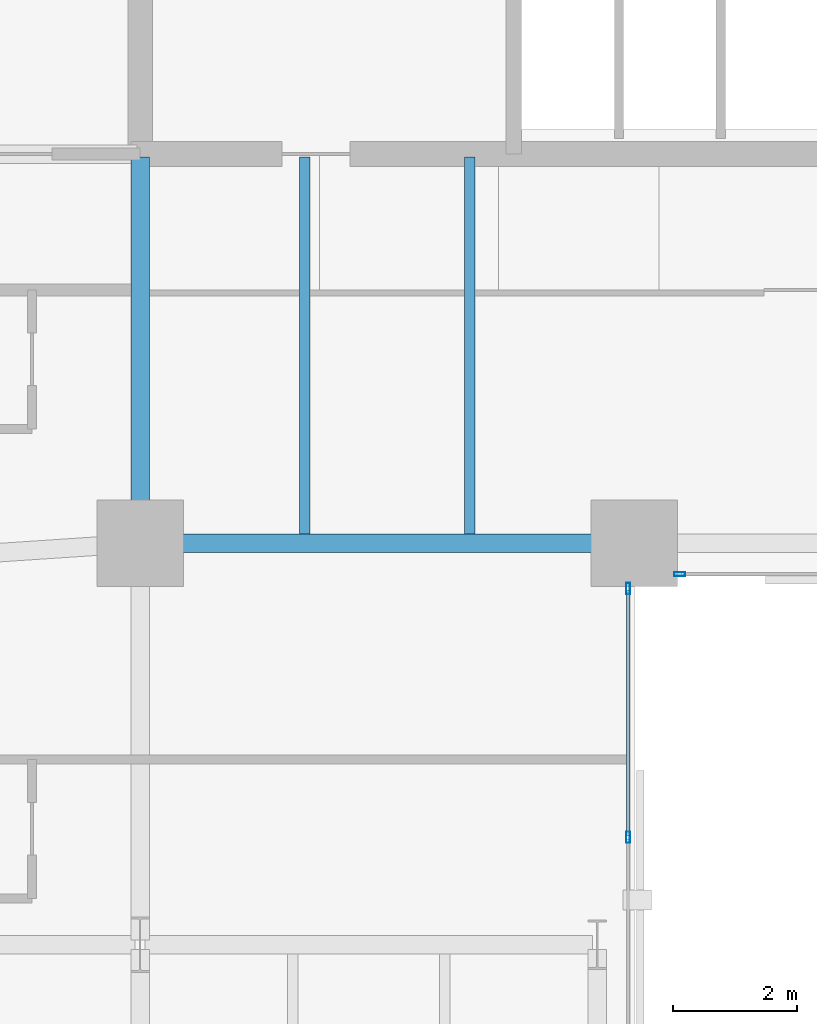
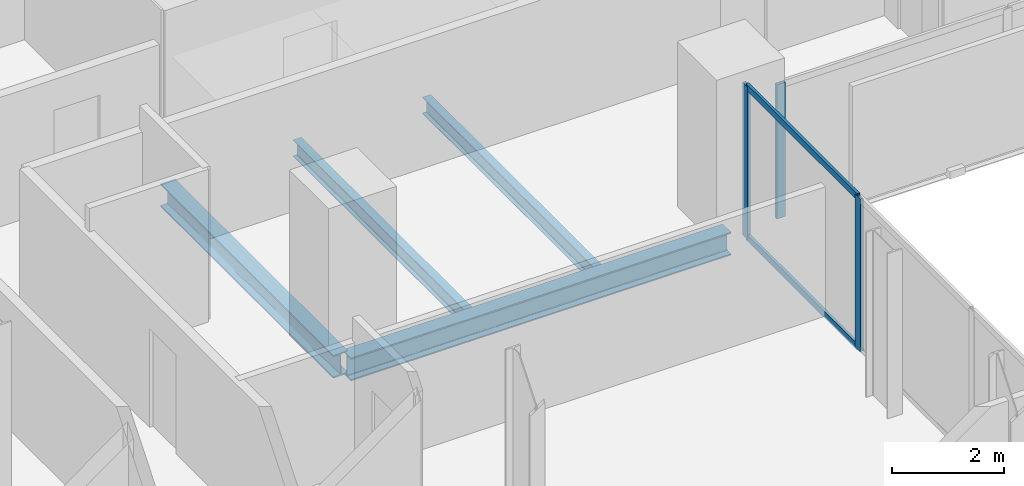
# One storey, part 13 of 33: 5 members, 4 beams, 2 elements without a shape of their own.
"""IFC4 building model written with IfcOpenShell, lengths in metres."""

from ifc_helpers import new_model, si_unit, direction, frame, origin, origin_2d, place, context, subcontext, project, spatial, hollow_rectangle, i_section, extrude, material, layer, layer_set, material_profile, profile_set, type_object, element, aggregate, save


model = new_model("IFC4")

# Units and contexts
model_context = context("Model", 3, precision=1e-05, world=origin(), true_north=direction((0.0, 1.0)))
body_context = subcontext(model_context, "Body", "Model", "MODEL_VIEW")
ifc_project = project(units=[si_unit("LENGTHUNIT", "METRE"), si_unit("AREAUNIT", "SQUARE_METRE"), si_unit("VOLUMEUNIT", "CUBIC_METRE"), si_unit("PLANEANGLEUNIT", "RADIAN"), si_unit("MASSUNIT", "GRAM", prefix="KILO")], contexts=[model_context])

# Site, building, storey
site_placement = place(None, origin())
site = spatial("IfcSite", under=ifc_project, at=site_placement, CompositionType="ELEMENT")
building_placement = place(site_placement, origin())
building = spatial("IfcBuilding", under=site, at=building_placement, Name="Catumbela Crestline Tower", CompositionType="ELEMENT")
storey_placement = place(building_placement, frame((0.0, 0.0, 58.2)))
storey = spatial("IfcBuildingStorey", under=building, at=storey_placement, Name="L14", CompositionType="ELEMENT", Elevation=58.2)

# Beams
ifc_material_1 = material(Name="Structural steel S355J2", Category="steel")
ifc_material_profile_1 = material_profile(ifc_material_1, i_section(OverallWidth=0.3, OverallDepth=0.5, WebThickness=0.0145, FlangeThickness=0.028, FilletRadius=0.027, at=origin_2d()), Name="HEB 500")
ifc_profile_set_1 = profile_set([ifc_material_profile_1], Name="Structural steel S355J2")
beam_type_1 = type_object("IfcBeamType", Name="BG-HEB500", PredefinedType="BEAM", material=ifc_profile_set_1)
beam_1_placement = place(storey_placement, frame((16.08, 24.5, -0.51), z_axis=(1.0, 0.0, 0.0), x_axis=(0.0, 1.0, 0.0)))
element("IfcBeam", 1, at=beam_1_placement, inside=storey, type_object=beam_type_1, Name="L14 Beam BM-L14-S04", PredefinedType="BEAM", context=body_context, shape_type="SweptSolid", body=[
    extrude(i_section(OverallWidth=0.3, OverallDepth=0.5, WebThickness=0.0145, FlangeThickness=0.028, FilletRadius=0.027, at=origin_2d()), origin(), (0.0, 0.0, 1.0), 7.84),
])
beam_2_placement = place(storey_placement, frame((16.0, 24.58, -0.51), z_axis=(0.0, 1.0, 0.0), x_axis=(-1.0, 0.0, 0.0)))
element("IfcBeam", 2, at=beam_2_placement, inside=storey, type_object=beam_type_1, Name="L14 Beam BM-L14-SNS31", PredefinedType="BEAM", context=body_context, shape_type="SweptSolid", body=[
    extrude(i_section(OverallWidth=0.3, OverallDepth=0.5, WebThickness=0.0145, FlangeThickness=0.028, FilletRadius=0.027, at=origin_2d()), origin(), (0.0, 0.0, 1.0), 6.17),
])
ifc_material_profile_2 = material_profile(ifc_material_1, i_section(OverallWidth=0.17, OverallDepth=0.36, WebThickness=0.008, FlangeThickness=0.0127, FilletRadius=0.018, at=origin_2d()), Name="IPE 360")
ifc_profile_set_2 = profile_set([ifc_material_profile_2], Name="Structural steel S355J2")
beam_type_2 = type_object("IfcBeamType", Name="BJ-IPE360", PredefinedType="JOIST", material=ifc_profile_set_2)
for number, where, z_axis, x_axis, name in (
    (3, (18.667, 24.647, -0.44), (0.0, 1.0, 0.0), (-1.0, 0.0, 0.0), "L14 Joist JS-L14-SP42"),
    (4, (21.333, 24.647, -0.44), (0.0, 1.0, 0.0), (-1.0, 0.0, 0.0), "L14 Joist JS-L14-SP43"),
):
    element("IfcBeam", number, at=place(storey_placement, frame(where, z_axis=z_axis, x_axis=x_axis)), inside=storey, type_object=beam_type_2, Name=name, PredefinedType="JOIST", context=body_context, shape_type="SweptSolid", body=[
        extrude(i_section(OverallWidth=0.17, OverallDepth=0.36, WebThickness=0.008, FlangeThickness=0.0127, FilletRadius=0.018, at=origin_2d()), origin(), (0.0, 0.0, 1.0), 6.103),
    ])

# Curtain wall, members
ifc_material_2 = material(Name="Aluminium alloy AW-6060-T66", Category="aluminium")
ifc_layer = layer(ifc_material_2, 0.18, Name="Aluminium alloy AW-6060-T66")
ifc_layer_set = layer_set([ifc_layer], Name="Aluminium alloy AW-6060-T66")
curtain_wall_type = type_object("IfcCurtainWallType", Name="CWU-Z1", PredefinedType="USERDEFINED", material=ifc_layer_set)
curtain_wall_1_placement = place(storey_placement, origin())
curtain_wall_1 = element("IfcCurtainWall", 5, at=curtain_wall_1_placement, inside=storey, type_object=curtain_wall_type, Name="L14 Unitised Curtain Wall CW-L14-E2S1", ObjectType="UNITISED", PredefinedType="USERDEFINED")
ifc_material_profile_3 = material_profile(ifc_material_2, hollow_rectangle(XDim=0.065, YDim=0.18, WallThickness=0.004, at=origin_2d()), Name="ALU 180x65x4")
ifc_profile_set_3 = profile_set([ifc_material_profile_3], Name="Aluminium alloy AW-6060-T66")
member_type_1 = type_object("IfcMemberType", Name="MUL-180X65", PredefinedType="MULLION", material=ifc_profile_set_3)
member_1_placement = place(storey_placement, frame((23.9, 19.74, 0.0), z_axis=(0.0, 0.0, 1.0), x_axis=(-1.0, 0.0, 0.0)))
member_1 = element("IfcMember", 6, at=member_1_placement, type_object=member_type_1, Name="CWU-Z1 mullion 5", PredefinedType="MULLION", context=body_context, shape_type="SweptSolid", body=[
    extrude(hollow_rectangle(XDim=0.065, YDim=0.18, WallThickness=0.004, at=origin_2d()), origin(), (0.0, 0.0, 1.0), 3.33),
])
member_2_placement = place(storey_placement, frame((23.9, 23.7675, 0.0), z_axis=(0.0, 0.0, 1.0), x_axis=(-1.0, 0.0, 0.0)))
member_2 = element("IfcMember", 7, at=member_2_placement, type_object=member_type_1, Name="CWU-Z1 mullion 6", PredefinedType="MULLION", context=body_context, shape_type="SweptSolid", body=[
    extrude(hollow_rectangle(XDim=0.065, YDim=0.18, WallThickness=0.004, at=origin_2d()), origin(), (0.0, 0.0, 1.0), 3.33),
])

# Curtain wall, member
curtain_wall_2_placement = place(storey_placement, origin())
curtain_wall_2 = element("IfcCurtainWall", 8, at=curtain_wall_2_placement, inside=storey, type_object=curtain_wall_type, Name="L14 Unitised Curtain Wall CW-L14-E3S1", ObjectType="UNITISED", PredefinedType="USERDEFINED")
member_3_placement = place(storey_placement, frame((24.7325, 24.0, 0.0), z_axis=(0.0, 0.0, 1.0), x_axis=(0.0, 1.0, 0.0)))
member_3 = element("IfcMember", 9, at=member_3_placement, type_object=member_type_1, Name="CWU-Z1 mullion 1", PredefinedType="MULLION", context=body_context, shape_type="SweptSolid", body=[
    extrude(hollow_rectangle(XDim=0.065, YDim=0.18, WallThickness=0.004, at=origin_2d()), origin(), (0.0, 0.0, 1.0), 2.93),
])
aggregate(curtain_wall_2, [member_3])

# Member
ifc_material_profile_4 = material_profile(ifc_material_2, hollow_rectangle(XDim=0.06, YDim=0.14, WallThickness=0.004, at=origin_2d()), Name="ALU 140x60x4")
ifc_profile_set_4 = profile_set([ifc_material_profile_4], Name="Aluminium alloy AW-6060-T66")
member_type_2 = type_object("IfcMemberType", Name="TRN-140X60", PredefinedType="USERDEFINED", material=ifc_profile_set_4)
member_4_placement = place(storey_placement, frame((23.9, 19.7725, 0.03), z_axis=(0.0, 1.0, 0.0), x_axis=(-1.0, 0.0, 0.0)))
member_4 = element("IfcMember", 10, at=member_4_placement, type_object=member_type_2, Name="CWU-Z1 transom 5.1", ObjectType="TRANSOM", PredefinedType="USERDEFINED", context=body_context, shape_type="SweptSolid", body=[
    extrude(hollow_rectangle(XDim=0.06, YDim=0.14, WallThickness=0.004, at=origin_2d()), origin(), (0.0, 0.0, 1.0), 3.9625),
])

member_5_placement = place(storey_placement, frame((23.9, 19.7725, 3.3), z_axis=(0.0, 1.0, 0.0), x_axis=(-1.0, 0.0, 0.0)))
member_5 = element("IfcMember", 11, at=member_5_placement, type_object=member_type_2, Name="CWU-Z1 transom 5.2", ObjectType="TRANSOM", PredefinedType="USERDEFINED", context=body_context, shape_type="SweptSolid", body=[
    extrude(hollow_rectangle(XDim=0.06, YDim=0.14, WallThickness=0.004, at=origin_2d()), origin(), (0.0, 0.0, 1.0), 3.9625),
])

aggregate(curtain_wall_1, [member_1, member_2, member_4, member_5])

save(model, "model.ifc")
